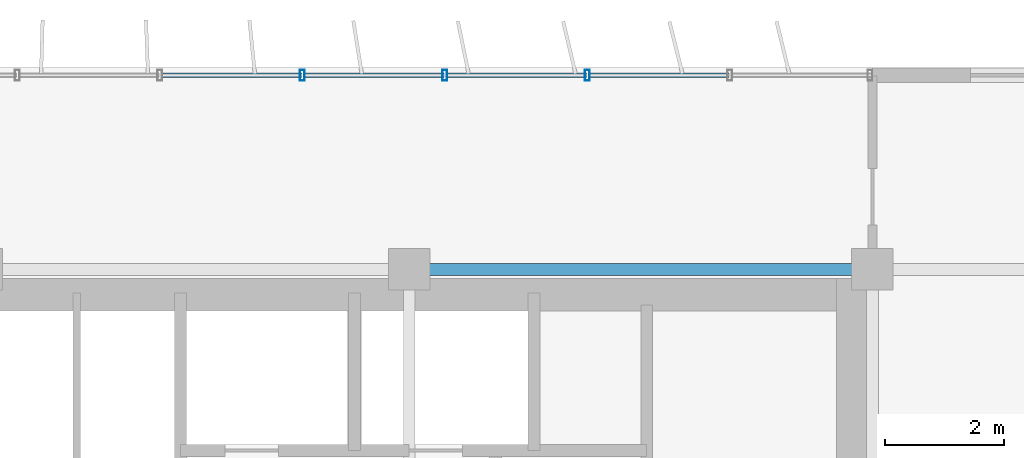
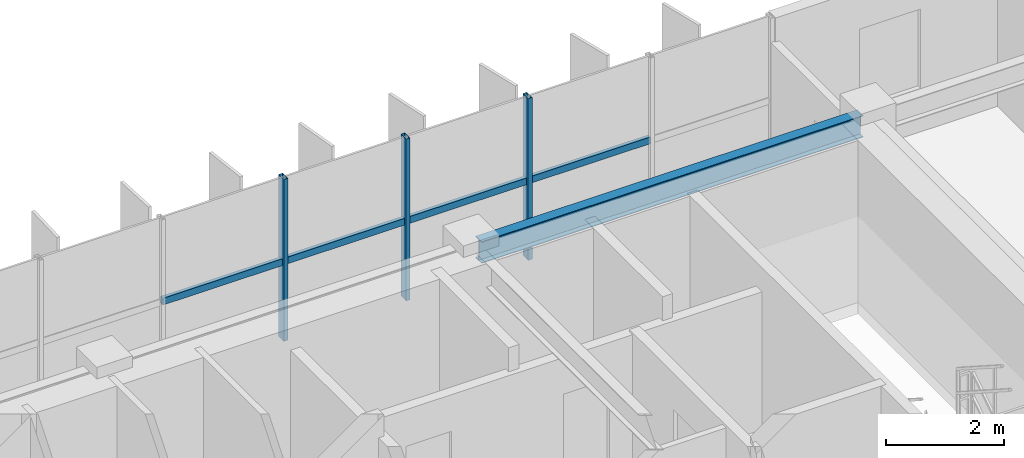
# One storey, part 11 of 19: 7 members, 1 beam, 1 element without a shape of its own.
"""IFC4 building model written with IfcOpenShell, lengths in metres."""

from ifc_helpers import new_model, si_unit, direction, frame, origin, origin_2d, place, context, subcontext, project, spatial, hollow_rectangle, i_section, extrude, source, transform, mapped, material, material_profile, profile_set, type_object, element, aggregate, save


model = new_model("IFC4")

# Units and contexts
model_context = context("Model", 3, precision=1e-05, world=origin(), true_north=direction((0.0, 1.0)))
body_context = subcontext(model_context, "Body", "Model", "MODEL_VIEW")
ifc_project = project(units=[si_unit("LENGTHUNIT", "METRE"), si_unit("AREAUNIT", "SQUARE_METRE"), si_unit("VOLUMEUNIT", "CUBIC_METRE"), si_unit("PLANEANGLEUNIT", "RADIAN"), si_unit("MASSUNIT", "GRAM", prefix="KILO")], contexts=[model_context])

# Site, building, storey
site_placement = place(None, origin())
site = spatial("IfcSite", under=ifc_project, at=site_placement, CompositionType="ELEMENT")
building_placement = place(site_placement, origin())
building = spatial("IfcBuilding", under=site, at=building_placement, Name="Trelvane Seafront Commons", CompositionType="ELEMENT")
storey_placement = place(building_placement, frame((0.0, 0.0, 215.699951171875)))
storey = spatial("IfcBuildingStorey", under=building, at=storey_placement, Name="L56", CompositionType="ELEMENT", Elevation=215.699951171875)

# Beam
ifc_material_1 = material(Name="Steel SM355 (S355)", Category="steel")
ifc_material_profile_1 = material_profile(ifc_material_1, i_section(OverallWidth=0.199951171875, OverallDepth=0.449951171875, WebThickness=0.009033203125, FlangeThickness=0.013916015625, at=origin_2d()), Name="H-450x200x9x14")
ifc_profile_set_1 = profile_set([ifc_material_profile_1], Name="Steel SM355 (S355)")
beam_type = type_object("IfcBeamType", Name="STR-SPD-H450", PredefinedType="SPANDREL", material=ifc_profile_set_1)
shared_shape_1 = source(origin(), body_context, "Body", "SweptSolid", [
    extrude(i_section(OverallWidth=0.199951171875, OverallDepth=0.449951171875, WebThickness=0.009033203125, FlangeThickness=0.013916015625, at=origin_2d()), origin(), (0.0, 0.0, 1.0), 7.5),
])
beam_placement = place(storey_placement, frame((51.14990234375, 45.10009765625, 3.135009765625), z_axis=(1.0, 0.0, 0.0), x_axis=(0.0, 1.0, 0.0)))
element("IfcBeam", 1, at=beam_placement, inside=storey, type_object=beam_type, Name="L56 Primary Girder G-27", PredefinedType="SPANDREL", context=body_context, shape_type="MappedRepresentation", body=[
    mapped(shared_shape_1, transform((0.0, 0.0, 0.0), x_axis=(1.0, 0.0, 0.0), y_axis=(0.0, 1.0, 0.0), z_axis=(0.0, 0.0, 1.0), scale=1.0)),
])

# Curtain wall, members
ifc_material_2 = material(Name="Anodised pale-silver aluminium", Category="aluminium")
curtain_wall_type = type_object("IfcCurtainWallType", Name="ARCH-CW4-SKYLOBBY", PredefinedType="NOTDEFINED", material=ifc_material_2)
curtain_wall_placement = place(storey_placement, origin())
curtain_wall = element("IfcCurtainWall", 2, at=curtain_wall_placement, inside=storey, type_object=curtain_wall_type, Name="CW-L56-0099", PredefinedType="NOTDEFINED")
ifc_material_profile_2 = material_profile(ifc_material_2, hollow_rectangle(XDim=0.074951171875, YDim=0.139892578125, WallThickness=0.00390625, at=origin_2d()), Name="TRAN-75x140x4")
ifc_profile_set_2 = profile_set([ifc_material_profile_2], Name="Anodised pale-silver aluminium")
member_type_1 = type_object("IfcMemberType", Name="ARCH-CW-TRAN-140", PredefinedType="USERDEFINED", material=ifc_profile_set_2)
shared_shape_2 = source(origin(), body_context, "Body", "SweptSolid", [
    extrude(hollow_rectangle(XDim=0.074951171875, YDim=0.139892578125, WallThickness=0.00390625, at=origin_2d()), origin(), (0.0, 0.0, 1.0), 2.3759765625),
])
member_1_placement = place(storey_placement, frame((46.81201171875, 48.3701171875, 1.613037109375), z_axis=(1.0, 0.0, 0.0), x_axis=(0.0, 1.0, 0.0)))
member_1 = element("IfcMember", 3, at=member_1_placement, type_object=member_type_1, Name="CW-L56-0099-T13", ObjectType="TRANSOM", PredefinedType="USERDEFINED", context=body_context, shape_type="MappedRepresentation", body=[
    mapped(shared_shape_2, transform((0.0, 0.0, 0.0), x_axis=(1.0, 0.0, 0.0), y_axis=(0.0, 1.0, 0.0), z_axis=(0.0, 0.0, 1.0), scale=1.0)),
])
member_2_placement = place(storey_placement, frame((49.2119140625, 48.3701171875, 1.613037109375), z_axis=(1.0, 0.0, 0.0), x_axis=(0.0, 1.0, 0.0)))
member_2 = element("IfcMember", 4, at=member_2_placement, type_object=member_type_1, Name="CW-L56-0099-T14", ObjectType="TRANSOM", PredefinedType="USERDEFINED", context=body_context, shape_type="MappedRepresentation", body=[
    mapped(shared_shape_2, transform((0.0, 0.0, 0.0), x_axis=(1.0, 0.0, 0.0), y_axis=(0.0, 1.0, 0.0), z_axis=(0.0, 0.0, 1.0), scale=1.0)),
])
member_3_placement = place(storey_placement, frame((51.612060546875, 48.3701171875, 1.613037109375), z_axis=(1.0, 0.0, 0.0), x_axis=(0.0, 1.0, 0.0)))
member_3 = element("IfcMember", 5, at=member_3_placement, type_object=member_type_1, Name="CW-L56-0099-T15", ObjectType="TRANSOM", PredefinedType="USERDEFINED", context=body_context, shape_type="MappedRepresentation", body=[
    mapped(shared_shape_2, transform((0.0, 0.0, 0.0), x_axis=(1.0, 0.0, 0.0), y_axis=(0.0, 1.0, 0.0), z_axis=(0.0, 0.0, 1.0), scale=1.0)),
])
member_4_placement = place(storey_placement, frame((54.011962890625, 48.3701171875, 1.613037109375), z_axis=(1.0, 0.0, 0.0), x_axis=(0.0, 1.0, 0.0)))
member_4 = element("IfcMember", 6, at=member_4_placement, type_object=member_type_1, Name="CW-L56-0099-T16", ObjectType="TRANSOM", PredefinedType="USERDEFINED", context=body_context, shape_type="MappedRepresentation", body=[
    mapped(shared_shape_2, transform((0.0, 0.0, 0.0), x_axis=(1.0, 0.0, 0.0), y_axis=(0.0, 1.0, 0.0), z_axis=(0.0, 0.0, 1.0), scale=1.0)),
])
ifc_material_profile_3 = material_profile(ifc_material_2, hollow_rectangle(XDim=0.080078125, YDim=0.179931640625, WallThickness=0.00439453125, at=origin_2d()), Name="MULL-80x180x4.5")
ifc_profile_set_3 = profile_set([ifc_material_profile_3], Name="Anodised pale-silver aluminium")
member_type_2 = type_object("IfcMemberType", Name="ARCH-CW-MULL-180", PredefinedType="MULLION", material=ifc_profile_set_3)
shared_shape_3 = source(origin(), body_context, "Body", "SweptSolid", [
    extrude(hollow_rectangle(XDim=0.080078125, YDim=0.179931640625, WallThickness=0.00439453125, at=origin_2d()), origin(), (0.0, 0.0, 1.0), 3.360107421875),
])
member_5_placement = place(storey_placement, frame((49.199951171875, 48.3701171875, 0.0), z_axis=(0.0, 0.0, 1.0), x_axis=(1.0, 0.0, 0.0)))
member_5 = element("IfcMember", 7, at=member_5_placement, type_object=member_type_2, Name="CW-L56-0099-M14", PredefinedType="MULLION", context=body_context, shape_type="MappedRepresentation", body=[
    mapped(shared_shape_3, transform((0.0, 0.0, 0.0), x_axis=(1.0, 0.0, 0.0), y_axis=(0.0, 1.0, 0.0), z_axis=(0.0, 0.0, 1.0), scale=1.0)),
])
member_6_placement = place(storey_placement, frame((51.60009765625, 48.3701171875, 0.0), z_axis=(0.0, 0.0, 1.0), x_axis=(1.0, 0.0, 0.0)))
member_6 = element("IfcMember", 8, at=member_6_placement, type_object=member_type_2, Name="CW-L56-0099-M15", PredefinedType="MULLION", context=body_context, shape_type="MappedRepresentation", body=[
    mapped(shared_shape_3, transform((0.0, 0.0, 0.0), x_axis=(1.0, 0.0, 0.0), y_axis=(0.0, 1.0, 0.0), z_axis=(0.0, 0.0, 1.0), scale=1.0)),
])
member_7_placement = place(storey_placement, frame((54.0, 48.3701171875, 0.0), z_axis=(0.0, 0.0, 1.0), x_axis=(1.0, 0.0, 0.0)))
member_7 = element("IfcMember", 9, at=member_7_placement, type_object=member_type_2, Name="CW-L56-0099-M16", PredefinedType="MULLION", context=body_context, shape_type="MappedRepresentation", body=[
    mapped(shared_shape_3, transform((0.0, 0.0, 0.0), x_axis=(1.0, 0.0, 0.0), y_axis=(0.0, 1.0, 0.0), z_axis=(0.0, 0.0, 1.0), scale=1.0)),
])
aggregate(curtain_wall, [member_5, member_6, member_7, member_1, member_2, member_3, member_4])

save(model, "model.ifc")
